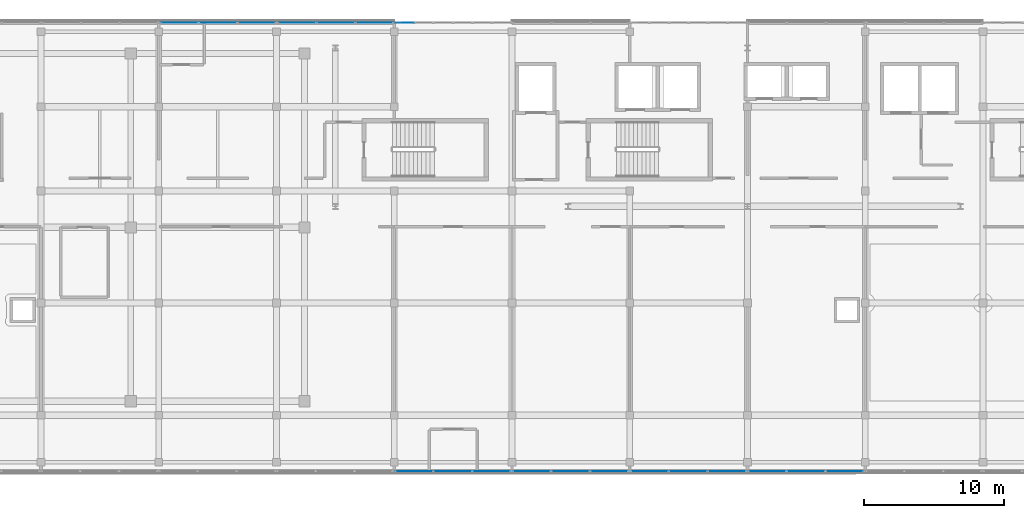
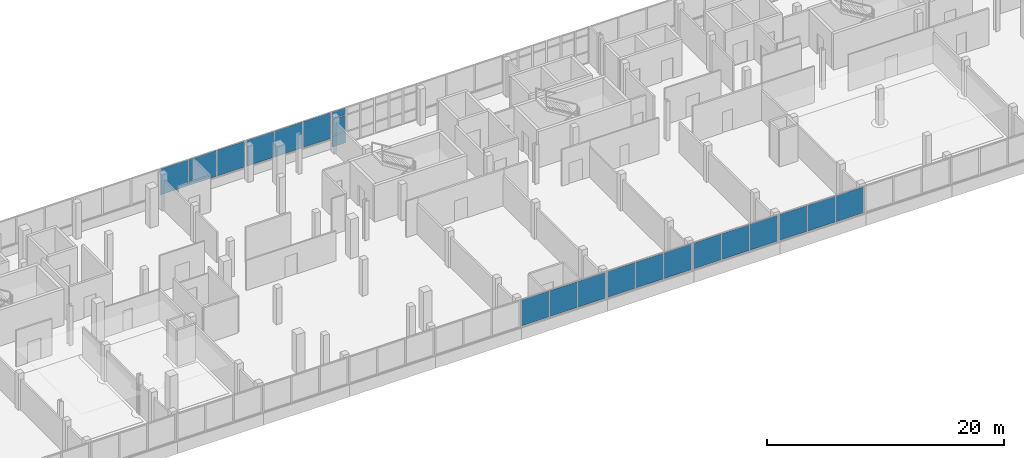
# One storey, part 52 of 67: 21 plates, 7 elements without a shape of their own.
"""IFC4 building model written with IfcOpenShell, lengths in metres."""

from ifc_helpers import new_model, si_unit, direction, frame, origin, origin_2d, place, context, subcontext, project, spatial, rectangle, extrude, material, layer, layer_set, type_object, element, aggregate, save


model = new_model("IFC4")

# Units and contexts
model_context = context("Model", 3, precision=1e-05, world=origin(), true_north=direction((0.0, 1.0)))
body_context = subcontext(model_context, "Body", "Model", "MODEL_VIEW")
ifc_project = project(units=[si_unit("LENGTHUNIT", "METRE"), si_unit("AREAUNIT", "SQUARE_METRE"), si_unit("VOLUMEUNIT", "CUBIC_METRE"), si_unit("PLANEANGLEUNIT", "RADIAN"), si_unit("MASSUNIT", "GRAM", prefix="KILO")], contexts=[model_context])

# Site, building, storey
site_placement = place(None, origin())
site = spatial("IfcSite", under=ifc_project, at=site_placement, CompositionType="ELEMENT")
building_placement = place(site_placement, origin())
building = spatial("IfcBuilding", under=site, at=building_placement, Name="Selatvlak General Hospital", CompositionType="ELEMENT")
storey_placement = place(building_placement, frame((0.0, 0.0, 35.39990234375)))
storey = spatial("IfcBuildingStorey", under=building, at=storey_placement, Name="L08", CompositionType="ELEMENT", Elevation=35.39990234375)

# Curtain wall, plates
ifc_material = material(Name="Solar-control Low-E double glazing", Category="glass")
curtain_wall_type_1 = type_object("IfcCurtainWallType", Name="CW-CW-01", PredefinedType="USERDEFINED", material=ifc_material)
curtain_wall_1_placement = place(storey_placement, origin())
curtain_wall_1 = element("IfcCurtainWall", 1, at=curtain_wall_1_placement, inside=storey, type_object=curtain_wall_type_1, Name="Glazed facade curtain wall CW-L08-0688", ObjectType="UNITISED CURTAIN WALL", PredefinedType="USERDEFINED")
ifc_layer = layer(ifc_material, 0.028076171875, Name="Solar-control Low-E double glazing", Category="glass")
ifc_layer_set = layer_set([ifc_layer], Name="Solar-control Low-E double glazing")
plate_type = type_object("IfcPlateType", Name="CWP-01", PredefinedType="CURTAIN_PANEL", material=ifc_layer_set)
plate_1_placement = place(storey_placement, frame((74.66796875, 119.9990234375, 1.005126953125), z_axis=(0.0, 0.0, 1.0), x_axis=(1.0, 0.0, 0.0)))
plate_1 = element("IfcPlate", 2, at=plate_1_placement, type_object=plate_type, Name="CW-01 panel 1.1", PredefinedType="CURTAIN_PANEL", context=body_context, shape_type="SweptSolid", body=[
    extrude(rectangle(XDim=2.67578125, YDim=0.028076171875, at=origin_2d()), origin(), (0.0, 0.0, 1.0), 2.669921875),
])
plate_2_placement = place(storey_placement, frame((77.425048828125, 119.9990234375, 1.005126953125), z_axis=(0.0, 0.0, 1.0), x_axis=(1.0, 0.0, 0.0)))
plate_2 = element("IfcPlate", 3, at=plate_2_placement, type_object=plate_type, Name="CW-01 panel 2.1", PredefinedType="CURTAIN_PANEL", context=body_context, shape_type="SweptSolid", body=[
    extrude(rectangle(XDim=2.708251953125, YDim=0.028076171875, at=origin_2d()), origin(), (0.0, 0.0, 1.0), 2.669921875),
])
plate_3_placement = place(storey_placement, frame((80.18212890625, 119.9990234375, 1.005126953125), z_axis=(0.0, 0.0, 1.0), x_axis=(1.0, 0.0, 0.0)))
plate_3 = element("IfcPlate", 4, at=plate_3_placement, type_object=plate_type, Name="CW-01 panel 3.1", PredefinedType="CURTAIN_PANEL", context=body_context, shape_type="SweptSolid", body=[
    extrude(rectangle(XDim=2.67578125, YDim=0.028076171875, at=origin_2d()), origin(), (0.0, 0.0, 1.0), 2.669921875),
])
aggregate(curtain_wall_1, [plate_1, plate_2, plate_3])

curtain_wall_type_2 = type_object("IfcCurtainWallType", Name="CW-CW-02", PredefinedType="USERDEFINED", material=ifc_material)
curtain_wall_2_placement = place(storey_placement, origin())
curtain_wall_2 = element("IfcCurtainWall", 5, at=curtain_wall_2_placement, inside=storey, type_object=curtain_wall_type_2, Name="Glazed facade curtain wall CW-L08-0689", ObjectType="UNITISED CURTAIN WALL", PredefinedType="USERDEFINED")
plate_4_placement = place(storey_placement, frame((83.06787109375, 119.9990234375, 1.005126953125), z_axis=(0.0, 0.0, 1.0), x_axis=(1.0, 0.0, 0.0)))
plate_4 = element("IfcPlate", 6, at=plate_4_placement, type_object=plate_type, Name="CW-02 panel 1.1", PredefinedType="CURTAIN_PANEL", context=body_context, shape_type="SweptSolid", body=[
    extrude(rectangle(XDim=2.67578125, YDim=0.028076171875, at=origin_2d()), origin(), (0.0, 0.0, 1.0), 2.669921875),
])
plate_5_placement = place(storey_placement, frame((85.824951171875, 119.9990234375, 1.005126953125), z_axis=(0.0, 0.0, 1.0), x_axis=(1.0, 0.0, 0.0)))
plate_5 = element("IfcPlate", 7, at=plate_5_placement, type_object=plate_type, Name="CW-02 panel 2.1", PredefinedType="CURTAIN_PANEL", context=body_context, shape_type="SweptSolid", body=[
    extrude(rectangle(XDim=2.708251953125, YDim=0.028076171875, at=origin_2d()), origin(), (0.0, 0.0, 1.0), 2.669921875),
])
plate_6_placement = place(storey_placement, frame((88.58203125, 119.9990234375, 1.005126953125), z_axis=(0.0, 0.0, 1.0), x_axis=(1.0, 0.0, 0.0)))
plate_6 = element("IfcPlate", 8, at=plate_6_placement, type_object=plate_type, Name="CW-02 panel 3.1", PredefinedType="CURTAIN_PANEL", context=body_context, shape_type="SweptSolid", body=[
    extrude(rectangle(XDim=2.67578125, YDim=0.028076171875, at=origin_2d()), origin(), (0.0, 0.0, 1.0), 2.669921875),
])
aggregate(curtain_wall_2, [plate_4, plate_5, plate_6])

curtain_wall_type_3 = type_object("IfcCurtainWallType", Name="CW-CW-04", PredefinedType="USERDEFINED", material=ifc_material)
curtain_wall_3_placement = place(storey_placement, origin())
curtain_wall_3 = element("IfcCurtainWall", 9, at=curtain_wall_3_placement, inside=storey, type_object=curtain_wall_type_3, Name="Glazed facade curtain wall CW-L08-0690", ObjectType="STICK GLAZING WALL", PredefinedType="USERDEFINED")
plate_7_placement = place(storey_placement, frame((90.728759765625, 119.9990234375, 0.065185546875), z_axis=(0.0, 0.0, 1.0), x_axis=(0.999999992861, 0.000119488591, 0.0)))
plate_7 = element("IfcPlate", 10, at=plate_7_placement, type_object=plate_type, Name="CW-04 panel 1.1", PredefinedType="CURTAIN_PANEL", context=body_context, shape_type="SweptSolid", body=[
    extrude(rectangle(XDim=1.29736328125, YDim=0.028076171875, at=origin_2d()), origin(), (0.0, 0.0, 1.0), 1.1025390625),
])
plate_8_placement = place(storey_placement, frame((90.728759765625, 119.9990234375, 1.232421875), z_axis=(0.0, 0.0, 1.0), x_axis=(0.999999992861, 0.000119488591, 0.0)))
plate_8 = element("IfcPlate", 11, at=plate_8_placement, type_object=plate_type, Name="CW-04 panel 1.2", PredefinedType="CURTAIN_PANEL", context=body_context, shape_type="SweptSolid", body=[
    extrude(rectangle(XDim=1.29736328125, YDim=0.028076171875, at=origin_2d()), origin(), (0.0, 0.0, 1.0), 1.675048828125),
])
plate_9_placement = place(storey_placement, frame((90.728759765625, 119.9990234375, 2.97265625), z_axis=(0.0, 0.0, 1.0), x_axis=(0.999999992861, 0.000119488591, 0.0)))
plate_9 = element("IfcPlate", 12, at=plate_9_placement, type_object=plate_type, Name="CW-04 panel 1.3", PredefinedType="CURTAIN_PANEL", context=body_context, shape_type="SweptSolid", body=[
    extrude(rectangle(XDim=1.29736328125, YDim=0.028076171875, at=origin_2d()), origin(), (0.0, 0.0, 1.0), 0.702392578125),
])
aggregate(curtain_wall_3, [plate_7, plate_8, plate_9])

curtain_wall_4_placement = place(storey_placement, origin())
curtain_wall_4 = element("IfcCurtainWall", 13, at=curtain_wall_4_placement, inside=storey, type_object=curtain_wall_type_2, Name="Glazed facade curtain wall CW-L08-0705", ObjectType="UNITISED CURTAIN WALL", PredefinedType="USERDEFINED")
plate_10_placement = place(storey_placement, frame((122.132080078125, 88.0009765625, 1.005126953125), z_axis=(0.0, 0.0, 1.0), x_axis=(-1.0, 0.0, 0.0)))
plate_10 = element("IfcPlate", 14, at=plate_10_placement, type_object=plate_type, Name="CW-02 panel 1.1", PredefinedType="CURTAIN_PANEL", context=body_context, shape_type="SweptSolid", body=[
    extrude(rectangle(XDim=2.67578125, YDim=0.028076171875, at=origin_2d()), origin(), (0.0, 0.0, 1.0), 2.669921875),
])
plate_11_placement = place(storey_placement, frame((119.375, 88.0009765625, 1.005126953125), z_axis=(0.0, 0.0, 1.0), x_axis=(-1.0, 0.0, 0.0)))
plate_11 = element("IfcPlate", 15, at=plate_11_placement, type_object=plate_type, Name="CW-02 panel 2.1", PredefinedType="CURTAIN_PANEL", context=body_context, shape_type="SweptSolid", body=[
    extrude(rectangle(XDim=2.708251953125, YDim=0.028076171875, at=origin_2d()), origin(), (0.0, 0.0, 1.0), 2.669921875),
])
plate_12_placement = place(storey_placement, frame((116.617919921875, 88.0009765625, 1.005126953125), z_axis=(0.0, 0.0, 1.0), x_axis=(-1.0, 0.0, 0.0)))
plate_12 = element("IfcPlate", 16, at=plate_12_placement, type_object=plate_type, Name="CW-02 panel 3.1", PredefinedType="CURTAIN_PANEL", context=body_context, shape_type="SweptSolid", body=[
    extrude(rectangle(XDim=2.67578125, YDim=0.028076171875, at=origin_2d()), origin(), (0.0, 0.0, 1.0), 2.669921875),
])
aggregate(curtain_wall_4, [plate_10, plate_11, plate_12])

curtain_wall_5_placement = place(storey_placement, origin())
curtain_wall_5 = element("IfcCurtainWall", 17, at=curtain_wall_5_placement, inside=storey, type_object=curtain_wall_type_1, Name="Glazed facade curtain wall CW-L08-0706", ObjectType="UNITISED CURTAIN WALL", PredefinedType="USERDEFINED")
plate_13_placement = place(storey_placement, frame((113.732177734375, 88.0009765625, 1.005126953125), z_axis=(0.0, 0.0, 1.0), x_axis=(-1.0, 0.0, 0.0)))
plate_13 = element("IfcPlate", 18, at=plate_13_placement, type_object=plate_type, Name="CW-01 panel 1.1", PredefinedType="CURTAIN_PANEL", context=body_context, shape_type="SweptSolid", body=[
    extrude(rectangle(XDim=2.67578125, YDim=0.028076171875, at=origin_2d()), origin(), (0.0, 0.0, 1.0), 2.669921875),
])
plate_14_placement = place(storey_placement, frame((110.97509765625, 88.0009765625, 1.005126953125), z_axis=(0.0, 0.0, 1.0), x_axis=(-1.0, 0.0, 0.0)))
plate_14 = element("IfcPlate", 19, at=plate_14_placement, type_object=plate_type, Name="CW-01 panel 2.1", PredefinedType="CURTAIN_PANEL", context=body_context, shape_type="SweptSolid", body=[
    extrude(rectangle(XDim=2.708251953125, YDim=0.028076171875, at=origin_2d()), origin(), (0.0, 0.0, 1.0), 2.669921875),
])
plate_15_placement = place(storey_placement, frame((108.218017578125, 88.0009765625, 1.005126953125), z_axis=(0.0, 0.0, 1.0), x_axis=(-1.0, 0.0, 0.0)))
plate_15 = element("IfcPlate", 20, at=plate_15_placement, type_object=plate_type, Name="CW-01 panel 3.1", PredefinedType="CURTAIN_PANEL", context=body_context, shape_type="SweptSolid", body=[
    extrude(rectangle(XDim=2.67578125, YDim=0.028076171875, at=origin_2d()), origin(), (0.0, 0.0, 1.0), 2.669921875),
])
aggregate(curtain_wall_5, [plate_13, plate_14, plate_15])

curtain_wall_6_placement = place(storey_placement, origin())
curtain_wall_6 = element("IfcCurtainWall", 21, at=curtain_wall_6_placement, inside=storey, type_object=curtain_wall_type_2, Name="Glazed facade curtain wall CW-L08-0707", ObjectType="UNITISED CURTAIN WALL", PredefinedType="USERDEFINED")
plate_16_placement = place(storey_placement, frame((105.33203125, 88.0009765625, 1.005126953125), z_axis=(0.0, 0.0, 1.0), x_axis=(-1.0, 0.0, 0.0)))
plate_16 = element("IfcPlate", 22, at=plate_16_placement, type_object=plate_type, Name="CW-02 panel 1.1", PredefinedType="CURTAIN_PANEL", context=body_context, shape_type="SweptSolid", body=[
    extrude(rectangle(XDim=2.67578125, YDim=0.028076171875, at=origin_2d()), origin(), (0.0, 0.0, 1.0), 2.669921875),
])
plate_17_placement = place(storey_placement, frame((102.574951171875, 88.0009765625, 1.005126953125), z_axis=(0.0, 0.0, 1.0), x_axis=(-1.0, 0.0, 0.0)))
plate_17 = element("IfcPlate", 23, at=plate_17_placement, type_object=plate_type, Name="CW-02 panel 2.1", PredefinedType="CURTAIN_PANEL", context=body_context, shape_type="SweptSolid", body=[
    extrude(rectangle(XDim=2.708251953125, YDim=0.028076171875, at=origin_2d()), origin(), (0.0, 0.0, 1.0), 2.669921875),
])
plate_18_placement = place(storey_placement, frame((99.81787109375, 88.0009765625, 1.005126953125), z_axis=(0.0, 0.0, 1.0), x_axis=(-1.0, 0.0, 0.0)))
plate_18 = element("IfcPlate", 24, at=plate_18_placement, type_object=plate_type, Name="CW-02 panel 3.1", PredefinedType="CURTAIN_PANEL", context=body_context, shape_type="SweptSolid", body=[
    extrude(rectangle(XDim=2.67578125, YDim=0.028076171875, at=origin_2d()), origin(), (0.0, 0.0, 1.0), 2.669921875),
])
aggregate(curtain_wall_6, [plate_16, plate_17, plate_18])

curtain_wall_7_placement = place(storey_placement, origin())
curtain_wall_7 = element("IfcCurtainWall", 25, at=curtain_wall_7_placement, inside=storey, type_object=curtain_wall_type_1, Name="Glazed facade curtain wall CW-L08-0708", ObjectType="UNITISED CURTAIN WALL", PredefinedType="USERDEFINED")
plate_19_placement = place(storey_placement, frame((96.93212890625, 88.000732421875, 1.005126953125), z_axis=(0.0, 0.0, 1.0), x_axis=(-0.999999992777, -0.000120192308, 0.0)))
plate_19 = element("IfcPlate", 26, at=plate_19_placement, type_object=plate_type, Name="CW-01 panel 1.1", PredefinedType="CURTAIN_PANEL", context=body_context, shape_type="SweptSolid", body=[
    extrude(rectangle(XDim=2.67578125, YDim=0.028076171875, at=origin_2d()), origin(), (0.0, 0.0, 1.0), 2.669921875),
])
plate_20_placement = place(storey_placement, frame((94.175048828125, 88.00048828125, 1.005126953125), z_axis=(0.0, 0.0, 1.0), x_axis=(-0.999999992777, -0.000120192308, 0.0)))
plate_20 = element("IfcPlate", 27, at=plate_20_placement, type_object=plate_type, Name="CW-01 panel 2.1", PredefinedType="CURTAIN_PANEL", context=body_context, shape_type="SweptSolid", body=[
    extrude(rectangle(XDim=2.708251953125, YDim=0.028076171875, at=origin_2d()), origin(), (0.0, 0.0, 1.0), 2.669921875),
])
plate_21_placement = place(storey_placement, frame((91.41796875, 88.000244140625, 1.005126953125), z_axis=(0.0, 0.0, 1.0), x_axis=(-0.999999992777, -0.000120192308, 0.0)))
plate_21 = element("IfcPlate", 28, at=plate_21_placement, type_object=plate_type, Name="CW-01 panel 3.1", PredefinedType="CURTAIN_PANEL", context=body_context, shape_type="SweptSolid", body=[
    extrude(rectangle(XDim=2.67578125, YDim=0.028076171875, at=origin_2d()), origin(), (0.0, 0.0, 1.0), 2.669921875),
])
aggregate(curtain_wall_7, [plate_19, plate_20, plate_21])

save(model, "model.ifc")
